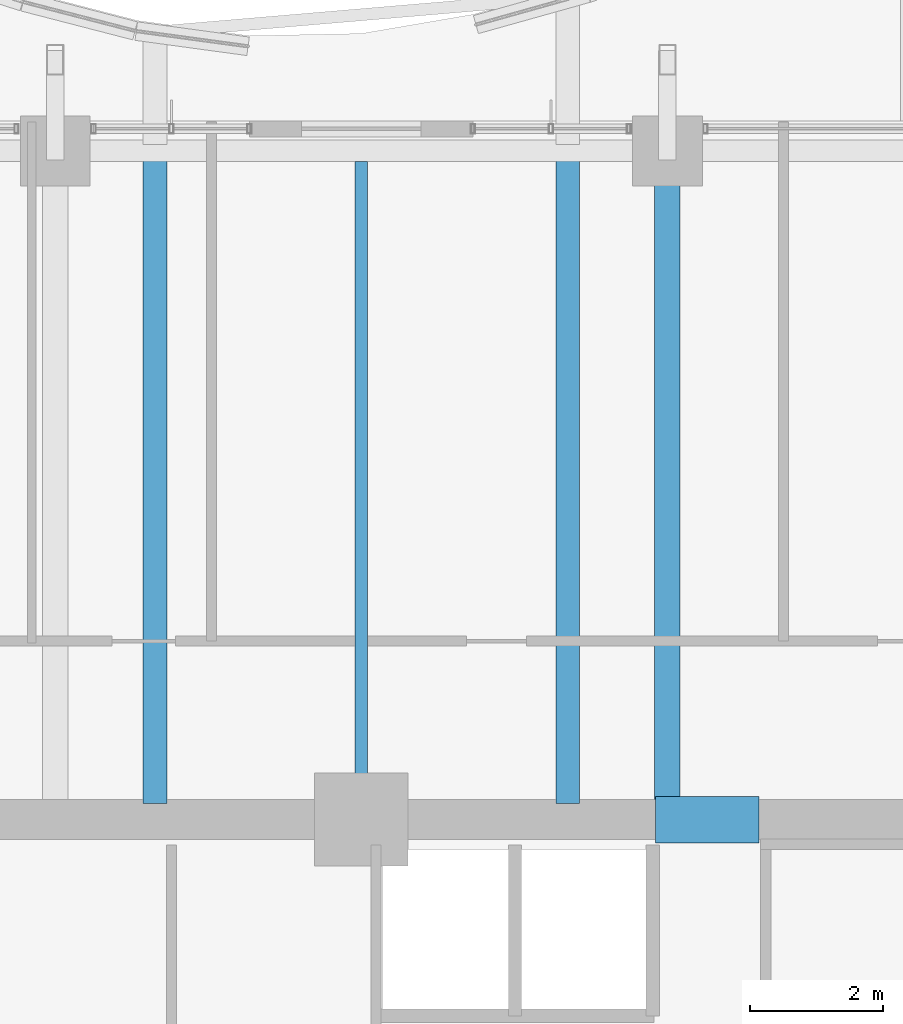
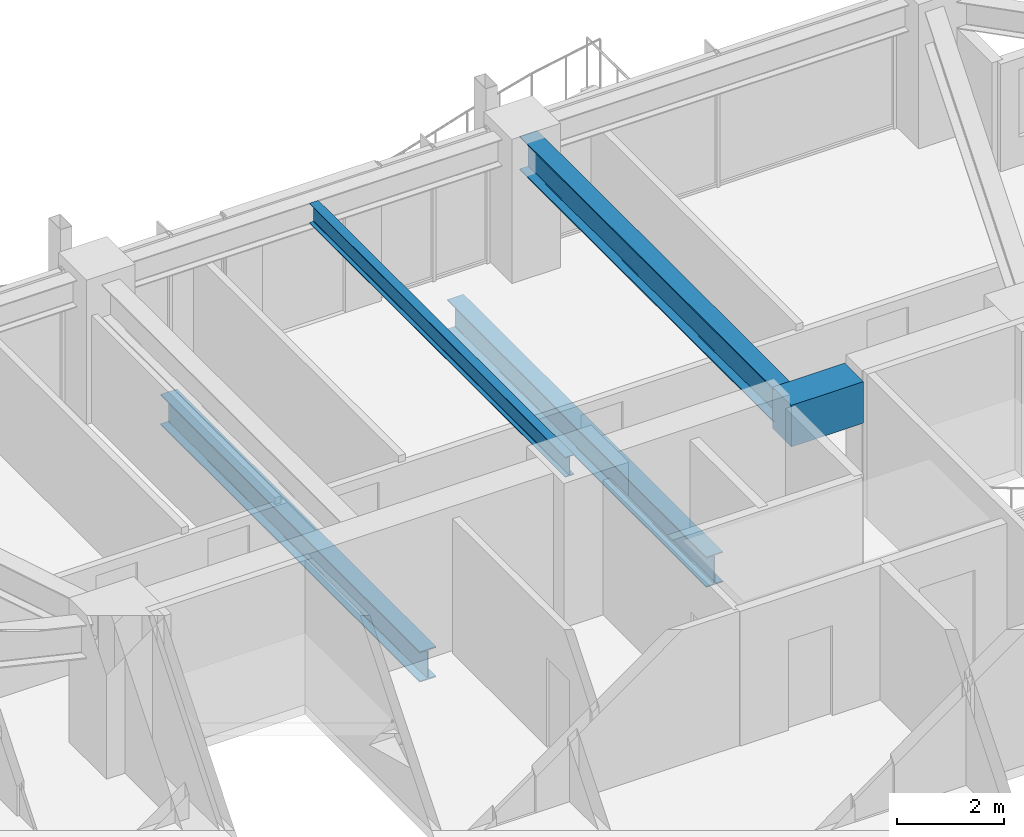
# One storey, part 21 of 38: 5 beams.
"""IFC4 building model written with IfcOpenShell, lengths in metres."""

from ifc_helpers import new_model, si_unit, direction, frame, origin, origin_2d, place, context, subcontext, project, spatial, rectangle, i_section, extrude, material, material_profile, profile_set, type_object, element, save


model = new_model("IFC4")

# Units and contexts
model_context = context("Model", 3, precision=1e-05, world=origin(), true_north=direction((0.0, 1.0)))
body_context = subcontext(model_context, "Body", "Model", "MODEL_VIEW")
ifc_project = project(units=[si_unit("LENGTHUNIT", "METRE"), si_unit("AREAUNIT", "SQUARE_METRE"), si_unit("VOLUMEUNIT", "CUBIC_METRE"), si_unit("PLANEANGLEUNIT", "RADIAN"), si_unit("MASSUNIT", "GRAM", prefix="KILO")], contexts=[model_context])

# Site, building, storey
site_placement = place(None, origin())
site = spatial("IfcSite", under=ifc_project, at=site_placement, CompositionType="ELEMENT")
building_placement = place(site_placement, origin())
building = spatial("IfcBuilding", under=site, at=building_placement, Name="Kolvaren Belvedere", CompositionType="ELEMENT")
storey_placement = place(building_placement, frame((0.0, 0.0, 78.800048828125)))
storey = spatial("IfcBuildingStorey", under=building, at=storey_placement, Name="L22", CompositionType="ELEMENT", Elevation=78.800048828125)

# Beams
ifc_material_1 = material(Name="Structural steel ASTM A992 Grade 50", Category="steel")
ifc_material_profile_1 = material_profile(ifc_material_1, i_section(OverallWidth=0.35498046875, OverallDepth=0.696044921875, WebThickness=0.015380859375, FlangeThickness=0.02490234375, FilletRadius=0.02197265625, at=origin_2d()), Name="W27X146")
ifc_profile_set_1 = profile_set([ifc_material_profile_1], Name="Structural steel ASTM A992 Grade 50")
beam_type_1 = type_object("IfcBeamType", Name="BM-GIRD-W27X146", PredefinedType="BEAM", material=ifc_profile_set_1)
for number, where, z_axis, x_axis, name in (
    (1, (-3.10009765625, 10.139892578125, -0.568115234375), (0.0, 1.0, 0.0), (-1.0, 0.0, 0.0), "L22 Balcony Interior Back-Span Girder BAL-N-1"),
    (2, (3.10009765625, 10.139892578125, -0.568115234375), (0.0, 1.0, 0.0), (-1.0, 0.0, 0.0), "L22 Balcony Interior Back-Span Girder BAL-N-2"),
):
    element("IfcBeam", number, at=place(storey_placement, frame(where, z_axis=z_axis, x_axis=x_axis)), inside=storey, type_object=beam_type_1, Name=name, PredefinedType="BEAM", context=body_context, shape_type="SweptSolid", body=[
        extrude(i_section(OverallWidth=0.35498046875, OverallDepth=0.696044921875, WebThickness=0.015380859375, FlangeThickness=0.02490234375, FilletRadius=0.02197265625, at=origin_2d()), origin(), (0.0, 0.0, 1.0), 9.715087890625),
    ])
ifc_material_2 = material(Name="Structural steel ASTM A992 Grade 50", Category="steel")
ifc_material_profile_2 = material_profile(ifc_material_2, i_section(OverallWidth=0.381103515625, OverallDepth=0.77294921875, WebThickness=0.0166015625, FlangeThickness=0.027099609375, FilletRadius=0.02392578125, at=origin_2d()), Name="W30X173")
ifc_profile_set_2 = profile_set([ifc_material_profile_2], Name="Structural steel ASTM A992 Grade 50")
beam_type_2 = type_object("IfcBeamType", Name="BM-GIRD-W30X173", PredefinedType="BEAM", material=ifc_profile_set_2)
beam_1_placement = place(storey_placement, frame((4.60009765625, 10.199951171875, 2.693359375), z_axis=(0.0, 1.0, 0.0), x_axis=(-1.0, 0.0, 0.0)))
element("IfcBeam", 3, at=beam_1_placement, inside=storey, type_object=beam_type_2, Name="L22 North Radial Girder P", PredefinedType="BEAM", context=body_context, shape_type="SweptSolid", body=[
    extrude(i_section(OverallWidth=0.381103515625, OverallDepth=0.77294921875, WebThickness=0.0166015625, FlangeThickness=0.027099609375, FilletRadius=0.02392578125, at=origin_2d()), origin(), (0.0, 0.0, 1.0), 9.513916015625),
])
ifc_material_3 = material(Name="Structural steel ASTM A992 Grade 50", Category="steel")
ifc_material_profile_3 = material_profile(ifc_material_3, i_section(OverallWidth=0.19091796875, OverallDepth=0.4599609375, WebThickness=0.010009765625, FlangeThickness=0.01611328125, FilletRadius=0.014892578125, at=origin_2d()), Name="W18X55")
ifc_profile_set_3 = profile_set([ifc_material_profile_3], Name="Structural steel ASTM A992 Grade 50")
beam_type_3 = type_object("IfcBeamType", Name="BM-JOIST-W18X55", PredefinedType="BEAM", material=ifc_profile_set_3)
beam_2_placement = place(storey_placement, frame((0.0, 10.199951171875, 2.849853515625), z_axis=(0.0, 1.0, 0.0), x_axis=(-1.0, 0.0, 0.0)))
element("IfcBeam", 4, at=beam_2_placement, inside=storey, type_object=beam_type_3, Name="L22 North Centre Floor Beam", PredefinedType="BEAM", context=body_context, shape_type="SweptSolid", body=[
    extrude(i_section(OverallWidth=0.19091796875, OverallDepth=0.4599609375, WebThickness=0.010009765625, FlangeThickness=0.01611328125, FilletRadius=0.014892578125, at=origin_2d()), origin(), (0.0, 0.0, 1.0), 9.587646484375),
])
ifc_material_4 = material(Name="Concrete C60/75", Category="concrete")
ifc_material_profile_4 = material_profile(ifc_material_4, rectangle(XDim=0.699951171875, YDim=0.949951171875, at=origin_2d()), Name="RC 700X950")
ifc_profile_set_4 = profile_set([ifc_material_profile_4], Name="Concrete C60/75")
beam_type_4 = type_object("IfcBeamType", Name="BM-LINT-950", PredefinedType="LINTEL", material=ifc_profile_set_4)
beam_3_placement = place(storey_placement, frame((4.419921875, 9.89990234375, 2.60498046875), z_axis=(1.0, 0.0, 0.0), x_axis=(0.0, 1.0, 0.0)))
element("IfcBeam", 5, at=beam_3_placement, inside=storey, type_object=beam_type_4, Name="L22 North Core Coupling Lintel", PredefinedType="LINTEL", context=body_context, shape_type="SweptSolid", body=[
    extrude(rectangle(XDim=0.699951171875, YDim=0.949951171875, at=origin_2d()), origin(), (0.0, 0.0, 1.0), 1.56005859375),
])

save(model, "model.ifc")
